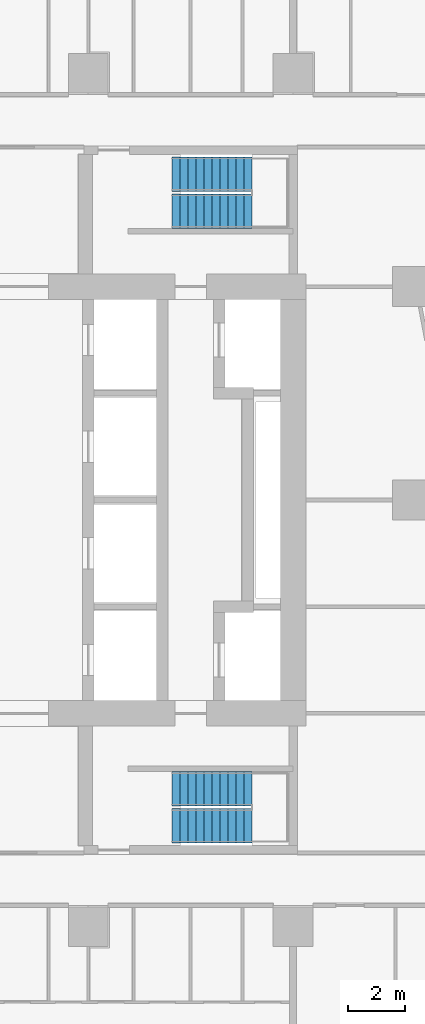
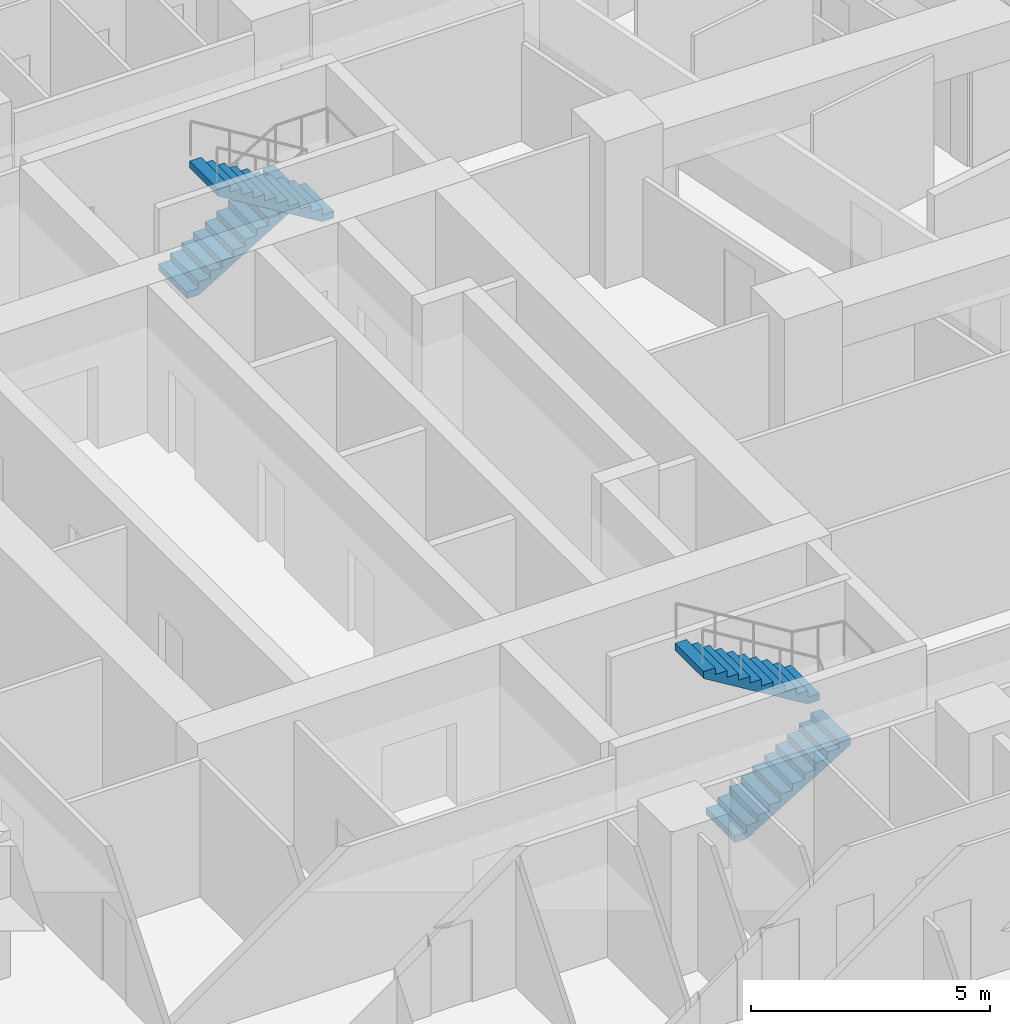
# One storey, part 18 of 19: 4 stair flights, 2 elements without a shape of their own.
"""IFC4 building model written with IfcOpenShell, lengths in metres."""

from ifc_helpers import new_model, si_unit, direction, frame, origin, place, context, subcontext, project, spatial, triangles, material, type_object, element, aggregate, save


model = new_model("IFC4")

# Units and contexts
model_context = context("Model", 3, precision=1e-05, world=origin(), true_north=direction((0.0, 1.0)))
body_context = subcontext(model_context, "Body", "Model", "MODEL_VIEW")
ifc_project = project(units=[si_unit("LENGTHUNIT", "METRE"), si_unit("AREAUNIT", "SQUARE_METRE"), si_unit("VOLUMEUNIT", "CUBIC_METRE"), si_unit("PLANEANGLEUNIT", "RADIAN"), si_unit("MASSUNIT", "GRAM", prefix="KILO")], contexts=[model_context])

# Site, building, storey
site_placement = place(None, origin())
site = spatial("IfcSite", under=ifc_project, at=site_placement, CompositionType="ELEMENT")
building_placement = place(site_placement, origin())
building = spatial("IfcBuilding", under=site, at=building_placement, Name="Sheger Commons Tower", CompositionType="ELEMENT")
storey_placement = place(building_placement, frame((0.0, 0.0, 197.449951171875)))
storey = spatial("IfcBuildingStorey", under=building, at=storey_placement, Name="L50", CompositionType="ELEMENT", Elevation=197.449951171875)

# Stair, stair flights
ifc_material_1 = material(Name="Concrete C35/45", Category="concrete")
stair_type = type_object("IfcStairType", Name="HALF-TURN STAIR 1200 RISE 3750", PredefinedType="HALF_TURN_STAIR", material=ifc_material_1)
stair_1_placement = place(storey_placement, origin())
stair_1 = element("IfcStair", 1, at=stair_1_placement, inside=storey, type_object=stair_type, Name="Stair S1 L50", PredefinedType="HALF_TURN_STAIR")
ifc_material_2 = material(Name="Concrete C35/45", Category="concrete")
stair_flight_type = type_object("IfcStairFlightType", Name="STAIR FLIGHT 1200 11 RISERS OF 170", PredefinedType="STRAIGHT", material=ifc_material_2)
stair_flight_1_placement = place(storey_placement, frame((24.550048828125, 11.050048828125, 0.0), z_axis=(0.0, 0.0, 1.0), x_axis=(1.0, 0.0, 0.0)))
stair_flight_1 = element("IfcStairFlight", 2, at=stair_flight_1_placement, type_object=stair_flight_type, Name="S1 flight 1", NumberOfRisers=11, NumberOfTreads=10, PredefinedType="STRAIGHT", RiserHeight=0.170454545, TreadLength=0.28, context=body_context, shape_type="Tessellation", body=[
    triangles([(0.0, 0.5999755859375, 0.0), (0.0, 0.5999755859375, 0.17041015625), (0.280029296875, 0.5999755859375, 0.17041015625), (0.280029296875, 0.5999755859375, 0.3408203125), (0.56005859375, 0.5999755859375, 0.3408203125), (0.56005859375, 0.5999755859375, 0.511474609375), (0.840087890625, 0.5999755859375, 0.511474609375), (0.840087890625, 0.5999755859375, 0.681884765625), (1.1201171875, 0.5999755859375, 0.681884765625), (1.1201171875, 0.5999755859375, 0.852294921875), (1.39990234375, 0.5999755859375, 0.852294921875), (1.39990234375, 0.5999755859375, 1.022705078125), (1.679931640625, 0.5999755859375, 1.022705078125), (1.679931640625, 0.5999755859375, 1.193115234375), (1.9599609375, 0.5999755859375, 1.193115234375), (1.9599609375, 0.5999755859375, 1.363525390625), (2.239990234375, 0.5999755859375, 1.363525390625), (2.239990234375, 0.5999755859375, 1.5341796875), (2.52001953125, 0.5999755859375, 1.5341796875), (2.52001953125, 0.5999755859375, 1.70458984375), (2.800048828125, 0.5999755859375, 1.70458984375), (2.800048828125, 0.5999755859375, 1.529052734375), (0.288330078125, 0.5999755859375, 0.0), (0.0, -0.5999755859375, 0.0), (0.0, -0.5999755859375, 0.17041015625), (0.280029296875, -0.5999755859375, 0.17041015625), (0.280029296875, -0.5999755859375, 0.3408203125), (0.56005859375, -0.5999755859375, 0.3408203125), (0.56005859375, -0.5999755859375, 0.511474609375), (0.840087890625, -0.5999755859375, 0.511474609375), (0.840087890625, -0.5999755859375, 0.681884765625), (1.1201171875, -0.5999755859375, 0.681884765625), (1.1201171875, -0.5999755859375, 0.852294921875), (1.39990234375, -0.5999755859375, 0.852294921875), (1.39990234375, -0.5999755859375, 1.022705078125), (1.679931640625, -0.5999755859375, 1.022705078125), (1.679931640625, -0.5999755859375, 1.193115234375), (1.9599609375, -0.5999755859375, 1.193115234375), (1.9599609375, -0.5999755859375, 1.363525390625), (2.239990234375, -0.5999755859375, 1.363525390625), (2.239990234375, -0.5999755859375, 1.5341796875), (2.52001953125, -0.5999755859375, 1.5341796875), (2.52001953125, -0.5999755859375, 1.70458984375), (2.800048828125, -0.5999755859375, 1.70458984375), (2.800048828125, -0.5999755859375, 1.529052734375), (0.288330078125, -0.5999755859375, 0.0), (0.0, 0.0, 0.085205078125), (0.1400146484375, 0.0, 0.17041015625), (0.280029296875, 0.0, 0.255615234375), (0.4200439453125, 0.0, 0.3408203125), (0.56005859375, 0.0, 0.4261474609375), (0.7000732421875, 0.0, 0.511474609375), (0.840087890625, 0.0, 0.5966796875), (0.9801025390625, 0.0, 0.681884765625), (1.1201171875, 0.0, 0.76708984375), (1.260009765625, 0.0, 0.852294921875), (1.39990234375, 0.0, 0.9375), (1.5399169921875, 0.0, 1.022705078125), (1.679931640625, 0.0, 1.10791015625), (1.8199462890625, 0.0, 1.193115234375), (1.9599609375, 0.0, 1.2783203125), (2.0999755859375, 0.0, 1.363525390625), (2.239990234375, 0.0, 1.4488525390625), (2.3800048828125, 0.0, 1.5341796875), (2.52001953125, 0.0, 1.619384765625), (2.6600341796875, 0.0, 1.70458984375), (2.800048828125, 0.0, 1.6168212890625), (1.544189453125, 0.0, 0.7645263671875), (0.1441650390625, 0.0, 0.0)], [[1, 22, 23], [24, 46, 45], [22, 20, 21], [45, 44, 43], [22, 19, 20], [45, 43, 42], [22, 18, 19], [45, 42, 41], [22, 17, 18], [45, 41, 40], [17, 15, 16], [40, 39, 38], [22, 15, 17], [45, 40, 38], [15, 13, 14], [38, 37, 36], [22, 13, 15], [45, 38, 36], [13, 11, 12], [36, 35, 34], [22, 11, 13], [45, 36, 34], [11, 9, 10], [34, 33, 32], [22, 9, 11], [45, 34, 32], [9, 7, 8], [32, 31, 30], [22, 7, 9], [45, 32, 30], [7, 5, 6], [30, 29, 28], [22, 5, 7], [45, 30, 28], [5, 3, 4], [28, 27, 26], [22, 3, 5], [45, 28, 26], [1, 3, 22], [24, 45, 26], [3, 1, 2], [26, 25, 24], [1, 47, 2], [2, 47, 25], [25, 47, 24], [24, 47, 1], [2, 48, 3], [3, 48, 26], [26, 48, 25], [25, 48, 2], [3, 49, 4], [4, 49, 27], [27, 49, 26], [26, 49, 3], [4, 50, 5], [5, 50, 28], [28, 50, 27], [27, 50, 4], [5, 51, 6], [6, 51, 29], [29, 51, 28], [28, 51, 5], [6, 52, 7], [7, 52, 30], [30, 52, 29], [29, 52, 6], [7, 53, 8], [8, 53, 31], [31, 53, 30], [30, 53, 7], [8, 54, 9], [9, 54, 32], [32, 54, 31], [31, 54, 8], [9, 55, 10], [10, 55, 33], [33, 55, 32], [32, 55, 9], [10, 56, 11], [11, 56, 34], [34, 56, 33], [33, 56, 10], [11, 57, 12], [12, 57, 35], [35, 57, 34], [34, 57, 11], [12, 58, 13], [13, 58, 36], [36, 58, 35], [35, 58, 12], [13, 59, 14], [14, 59, 37], [37, 59, 36], [36, 59, 13], [14, 60, 15], [15, 60, 38], [38, 60, 37], [37, 60, 14], [15, 61, 16], [16, 61, 39], [39, 61, 38], [38, 61, 15], [16, 62, 17], [17, 62, 40], [40, 62, 39], [39, 62, 16], [17, 63, 18], [18, 63, 41], [41, 63, 40], [40, 63, 17], [18, 64, 19], [19, 64, 42], [42, 64, 41], [41, 64, 18], [19, 65, 20], [20, 65, 43], [43, 65, 42], [42, 65, 19], [20, 66, 21], [21, 66, 44], [44, 66, 43], [43, 66, 20], [21, 67, 22], [22, 67, 45], [45, 67, 44], [44, 67, 21], [22, 68, 23], [23, 68, 46], [46, 68, 45], [45, 68, 22], [23, 69, 1], [1, 69, 24], [24, 69, 46], [46, 69, 23]], closed=True),
])
stair_flight_2_placement = place(storey_placement, frame((27.35009765625, 12.35009765625, 1.875), z_axis=(0.0, 0.0, 1.0), x_axis=(-1.0, 0.0, 0.0)))
stair_flight_2 = element("IfcStairFlight", 3, at=stair_flight_2_placement, type_object=stair_flight_type, Name="S1 flight 2", NumberOfRisers=11, NumberOfTreads=10, PredefinedType="STRAIGHT", RiserHeight=0.170454545, TreadLength=0.28, context=body_context, shape_type="Tessellation", body=[
    triangles([(0.0, 0.5999755859375, 0.0), (0.0, 0.5999755859375, 0.17041015625), (0.280029296875, 0.5999755859375, 0.17041015625), (0.280029296875, 0.5999755859375, 0.3408203125), (0.56005859375, 0.5999755859375, 0.3408203125), (0.56005859375, 0.5999755859375, 0.511474609375), (0.840087890625, 0.5999755859375, 0.511474609375), (0.840087890625, 0.5999755859375, 0.681884765625), (1.1201171875, 0.5999755859375, 0.681884765625), (1.1201171875, 0.5999755859375, 0.852294921875), (1.39990234375, 0.5999755859375, 0.852294921875), (1.39990234375, 0.5999755859375, 1.022705078125), (1.679931640625, 0.5999755859375, 1.022705078125), (1.679931640625, 0.5999755859375, 1.193115234375), (1.9599609375, 0.5999755859375, 1.193115234375), (1.9599609375, 0.5999755859375, 1.363525390625), (2.239990234375, 0.5999755859375, 1.363525390625), (2.239990234375, 0.5999755859375, 1.5341796875), (2.52001953125, 0.5999755859375, 1.5341796875), (2.52001953125, 0.5999755859375, 1.70458984375), (2.800048828125, 0.5999755859375, 1.70458984375), (2.800048828125, 0.5999755859375, 1.529052734375), (0.288330078125, 0.5999755859375, 0.0), (0.0, -0.5999755859375, 0.0), (0.0, -0.5999755859375, 0.17041015625), (0.280029296875, -0.5999755859375, 0.17041015625), (0.280029296875, -0.5999755859375, 0.3408203125), (0.56005859375, -0.5999755859375, 0.3408203125), (0.56005859375, -0.5999755859375, 0.511474609375), (0.840087890625, -0.5999755859375, 0.511474609375), (0.840087890625, -0.5999755859375, 0.681884765625), (1.1201171875, -0.5999755859375, 0.681884765625), (1.1201171875, -0.5999755859375, 0.852294921875), (1.39990234375, -0.5999755859375, 0.852294921875), (1.39990234375, -0.5999755859375, 1.022705078125), (1.679931640625, -0.5999755859375, 1.022705078125), (1.679931640625, -0.5999755859375, 1.193115234375), (1.9599609375, -0.5999755859375, 1.193115234375), (1.9599609375, -0.5999755859375, 1.363525390625), (2.239990234375, -0.5999755859375, 1.363525390625), (2.239990234375, -0.5999755859375, 1.5341796875), (2.52001953125, -0.5999755859375, 1.5341796875), (2.52001953125, -0.5999755859375, 1.70458984375), (2.800048828125, -0.5999755859375, 1.70458984375), (2.800048828125, -0.5999755859375, 1.529052734375), (0.288330078125, -0.5999755859375, 0.0), (0.0, 0.0, 0.085205078125), (0.1400146484375, 0.0, 0.17041015625), (0.280029296875, 0.0, 0.255615234375), (0.4200439453125, 0.0, 0.3408203125), (0.56005859375, 0.0, 0.4261474609375), (0.7000732421875, 0.0, 0.511474609375), (0.840087890625, 0.0, 0.5966796875), (0.9801025390625, 0.0, 0.681884765625), (1.1201171875, 0.0, 0.76708984375), (1.260009765625, 0.0, 0.852294921875), (1.39990234375, 0.0, 0.9375), (1.5399169921875, 0.0, 1.022705078125), (1.679931640625, 0.0, 1.10791015625), (1.8199462890625, 0.0, 1.193115234375), (1.9599609375, 0.0, 1.2783203125), (2.0999755859375, 0.0, 1.363525390625), (2.239990234375, 0.0, 1.4488525390625), (2.3800048828125, 0.0, 1.5341796875), (2.52001953125, 0.0, 1.619384765625), (2.6600341796875, 0.0, 1.70458984375), (2.800048828125, 0.0, 1.6168212890625), (1.544189453125, 0.0, 0.7645263671875), (0.1441650390625, 0.0, 0.0)], [[1, 22, 23], [24, 46, 45], [22, 20, 21], [45, 44, 43], [22, 19, 20], [45, 43, 42], [22, 18, 19], [45, 42, 41], [22, 17, 18], [45, 41, 40], [17, 15, 16], [40, 39, 38], [22, 15, 17], [45, 40, 38], [15, 13, 14], [38, 37, 36], [22, 13, 15], [45, 38, 36], [13, 11, 12], [36, 35, 34], [22, 11, 13], [45, 36, 34], [11, 9, 10], [34, 33, 32], [22, 9, 11], [45, 34, 32], [9, 7, 8], [32, 31, 30], [22, 7, 9], [45, 32, 30], [7, 5, 6], [30, 29, 28], [22, 5, 7], [45, 30, 28], [5, 3, 4], [28, 27, 26], [22, 3, 5], [45, 28, 26], [1, 3, 22], [24, 45, 26], [3, 1, 2], [26, 25, 24], [1, 47, 2], [2, 47, 25], [25, 47, 24], [24, 47, 1], [2, 48, 3], [3, 48, 26], [26, 48, 25], [25, 48, 2], [3, 49, 4], [4, 49, 27], [27, 49, 26], [26, 49, 3], [4, 50, 5], [5, 50, 28], [28, 50, 27], [27, 50, 4], [5, 51, 6], [6, 51, 29], [29, 51, 28], [28, 51, 5], [6, 52, 7], [7, 52, 30], [30, 52, 29], [29, 52, 6], [7, 53, 8], [8, 53, 31], [31, 53, 30], [30, 53, 7], [8, 54, 9], [9, 54, 32], [32, 54, 31], [31, 54, 8], [9, 55, 10], [10, 55, 33], [33, 55, 32], [32, 55, 9], [10, 56, 11], [11, 56, 34], [34, 56, 33], [33, 56, 10], [11, 57, 12], [12, 57, 35], [35, 57, 34], [34, 57, 11], [12, 58, 13], [13, 58, 36], [36, 58, 35], [35, 58, 12], [13, 59, 14], [14, 59, 37], [37, 59, 36], [36, 59, 13], [14, 60, 15], [15, 60, 38], [38, 60, 37], [37, 60, 14], [15, 61, 16], [16, 61, 39], [39, 61, 38], [38, 61, 15], [16, 62, 17], [17, 62, 40], [40, 62, 39], [39, 62, 16], [17, 63, 18], [18, 63, 41], [41, 63, 40], [40, 63, 17], [18, 64, 19], [19, 64, 42], [42, 64, 41], [41, 64, 18], [19, 65, 20], [20, 65, 43], [43, 65, 42], [42, 65, 19], [20, 66, 21], [21, 66, 44], [44, 66, 43], [43, 66, 20], [21, 67, 22], [22, 67, 45], [45, 67, 44], [44, 67, 21], [22, 68, 23], [23, 68, 46], [46, 68, 45], [45, 68, 22], [23, 69, 1], [1, 69, 24], [24, 69, 46], [46, 69, 23]], closed=True),
])
aggregate(stair_1, [stair_flight_1, stair_flight_2])

stair_2_placement = place(storey_placement, origin())
stair_2 = element("IfcStair", 4, at=stair_2_placement, inside=storey, type_object=stair_type, Name="Stair S2 L50", PredefinedType="HALF_TURN_STAIR")
stair_flight_3_placement = place(storey_placement, frame((24.550048828125, 33.949951171875, 0.0), z_axis=(0.0, 0.0, 1.0), x_axis=(1.0, 0.0, 0.0)))
stair_flight_3 = element("IfcStairFlight", 5, at=stair_flight_3_placement, type_object=stair_flight_type, Name="S2 flight 1", NumberOfRisers=11, NumberOfTreads=10, PredefinedType="STRAIGHT", RiserHeight=0.170454545, TreadLength=0.28, context=body_context, shape_type="Tessellation", body=[
    triangles([(0.0, 0.5999755859375, 0.0), (0.0, 0.5999755859375, 0.17041015625), (0.280029296875, 0.5999755859375, 0.17041015625), (0.280029296875, 0.5999755859375, 0.3408203125), (0.56005859375, 0.5999755859375, 0.3408203125), (0.56005859375, 0.5999755859375, 0.511474609375), (0.840087890625, 0.5999755859375, 0.511474609375), (0.840087890625, 0.5999755859375, 0.681884765625), (1.1201171875, 0.5999755859375, 0.681884765625), (1.1201171875, 0.5999755859375, 0.852294921875), (1.39990234375, 0.5999755859375, 0.852294921875), (1.39990234375, 0.5999755859375, 1.022705078125), (1.679931640625, 0.5999755859375, 1.022705078125), (1.679931640625, 0.5999755859375, 1.193115234375), (1.9599609375, 0.5999755859375, 1.193115234375), (1.9599609375, 0.5999755859375, 1.363525390625), (2.239990234375, 0.5999755859375, 1.363525390625), (2.239990234375, 0.5999755859375, 1.5341796875), (2.52001953125, 0.5999755859375, 1.5341796875), (2.52001953125, 0.5999755859375, 1.70458984375), (2.800048828125, 0.5999755859375, 1.70458984375), (2.800048828125, 0.5999755859375, 1.529052734375), (0.288330078125, 0.5999755859375, 0.0), (0.0, -0.5999755859375, 0.0), (0.0, -0.5999755859375, 0.17041015625), (0.280029296875, -0.5999755859375, 0.17041015625), (0.280029296875, -0.5999755859375, 0.3408203125), (0.56005859375, -0.5999755859375, 0.3408203125), (0.56005859375, -0.5999755859375, 0.511474609375), (0.840087890625, -0.5999755859375, 0.511474609375), (0.840087890625, -0.5999755859375, 0.681884765625), (1.1201171875, -0.5999755859375, 0.681884765625), (1.1201171875, -0.5999755859375, 0.852294921875), (1.39990234375, -0.5999755859375, 0.852294921875), (1.39990234375, -0.5999755859375, 1.022705078125), (1.679931640625, -0.5999755859375, 1.022705078125), (1.679931640625, -0.5999755859375, 1.193115234375), (1.9599609375, -0.5999755859375, 1.193115234375), (1.9599609375, -0.5999755859375, 1.363525390625), (2.239990234375, -0.5999755859375, 1.363525390625), (2.239990234375, -0.5999755859375, 1.5341796875), (2.52001953125, -0.5999755859375, 1.5341796875), (2.52001953125, -0.5999755859375, 1.70458984375), (2.800048828125, -0.5999755859375, 1.70458984375), (2.800048828125, -0.5999755859375, 1.529052734375), (0.288330078125, -0.5999755859375, 0.0), (0.0, 0.0, 0.085205078125), (0.1400146484375, 0.0, 0.17041015625), (0.280029296875, 0.0, 0.255615234375), (0.4200439453125, 0.0, 0.3408203125), (0.56005859375, 0.0, 0.4261474609375), (0.7000732421875, 0.0, 0.511474609375), (0.840087890625, 0.0, 0.5966796875), (0.9801025390625, 0.0, 0.681884765625), (1.1201171875, 0.0, 0.76708984375), (1.260009765625, 0.0, 0.852294921875), (1.39990234375, 0.0, 0.9375), (1.5399169921875, 0.0, 1.022705078125), (1.679931640625, 0.0, 1.10791015625), (1.8199462890625, 0.0, 1.193115234375), (1.9599609375, 0.0, 1.2783203125), (2.0999755859375, 0.0, 1.363525390625), (2.239990234375, 0.0, 1.4488525390625), (2.3800048828125, 0.0, 1.5341796875), (2.52001953125, 0.0, 1.619384765625), (2.6600341796875, 0.0, 1.70458984375), (2.800048828125, 0.0, 1.6168212890625), (1.544189453125, 0.0, 0.7645263671875), (0.1441650390625, 0.0, 0.0)], [[1, 22, 23], [24, 46, 45], [22, 20, 21], [45, 44, 43], [22, 19, 20], [45, 43, 42], [22, 18, 19], [45, 42, 41], [22, 17, 18], [45, 41, 40], [17, 15, 16], [40, 39, 38], [22, 15, 17], [45, 40, 38], [15, 13, 14], [38, 37, 36], [22, 13, 15], [45, 38, 36], [13, 11, 12], [36, 35, 34], [22, 11, 13], [45, 36, 34], [11, 9, 10], [34, 33, 32], [22, 9, 11], [45, 34, 32], [9, 7, 8], [32, 31, 30], [22, 7, 9], [45, 32, 30], [7, 5, 6], [30, 29, 28], [22, 5, 7], [45, 30, 28], [5, 3, 4], [28, 27, 26], [22, 3, 5], [45, 28, 26], [1, 3, 22], [24, 45, 26], [3, 1, 2], [26, 25, 24], [1, 47, 2], [2, 47, 25], [25, 47, 24], [24, 47, 1], [2, 48, 3], [3, 48, 26], [26, 48, 25], [25, 48, 2], [3, 49, 4], [4, 49, 27], [27, 49, 26], [26, 49, 3], [4, 50, 5], [5, 50, 28], [28, 50, 27], [27, 50, 4], [5, 51, 6], [6, 51, 29], [29, 51, 28], [28, 51, 5], [6, 52, 7], [7, 52, 30], [30, 52, 29], [29, 52, 6], [7, 53, 8], [8, 53, 31], [31, 53, 30], [30, 53, 7], [8, 54, 9], [9, 54, 32], [32, 54, 31], [31, 54, 8], [9, 55, 10], [10, 55, 33], [33, 55, 32], [32, 55, 9], [10, 56, 11], [11, 56, 34], [34, 56, 33], [33, 56, 10], [11, 57, 12], [12, 57, 35], [35, 57, 34], [34, 57, 11], [12, 58, 13], [13, 58, 36], [36, 58, 35], [35, 58, 12], [13, 59, 14], [14, 59, 37], [37, 59, 36], [36, 59, 13], [14, 60, 15], [15, 60, 38], [38, 60, 37], [37, 60, 14], [15, 61, 16], [16, 61, 39], [39, 61, 38], [38, 61, 15], [16, 62, 17], [17, 62, 40], [40, 62, 39], [39, 62, 16], [17, 63, 18], [18, 63, 41], [41, 63, 40], [40, 63, 17], [18, 64, 19], [19, 64, 42], [42, 64, 41], [41, 64, 18], [19, 65, 20], [20, 65, 43], [43, 65, 42], [42, 65, 19], [20, 66, 21], [21, 66, 44], [44, 66, 43], [43, 66, 20], [21, 67, 22], [22, 67, 45], [45, 67, 44], [44, 67, 21], [22, 68, 23], [23, 68, 46], [46, 68, 45], [45, 68, 22], [23, 69, 1], [1, 69, 24], [24, 69, 46], [46, 69, 23]], closed=True),
])
stair_flight_4_placement = place(storey_placement, frame((27.35009765625, 32.64990234375, 1.875), z_axis=(0.0, 0.0, 1.0), x_axis=(-1.0, 0.0, 0.0)))
stair_flight_4 = element("IfcStairFlight", 6, at=stair_flight_4_placement, type_object=stair_flight_type, Name="S2 flight 2", NumberOfRisers=11, NumberOfTreads=10, PredefinedType="STRAIGHT", RiserHeight=0.170454545, TreadLength=0.28, context=body_context, shape_type="Tessellation", body=[
    triangles([(0.0, 0.5999755859375, 0.0), (0.0, 0.5999755859375, 0.17041015625), (0.280029296875, 0.5999755859375, 0.17041015625), (0.280029296875, 0.5999755859375, 0.3408203125), (0.56005859375, 0.5999755859375, 0.3408203125), (0.56005859375, 0.5999755859375, 0.511474609375), (0.840087890625, 0.5999755859375, 0.511474609375), (0.840087890625, 0.5999755859375, 0.681884765625), (1.1201171875, 0.5999755859375, 0.681884765625), (1.1201171875, 0.5999755859375, 0.852294921875), (1.39990234375, 0.5999755859375, 0.852294921875), (1.39990234375, 0.5999755859375, 1.022705078125), (1.679931640625, 0.5999755859375, 1.022705078125), (1.679931640625, 0.5999755859375, 1.193115234375), (1.9599609375, 0.5999755859375, 1.193115234375), (1.9599609375, 0.5999755859375, 1.363525390625), (2.239990234375, 0.5999755859375, 1.363525390625), (2.239990234375, 0.5999755859375, 1.5341796875), (2.52001953125, 0.5999755859375, 1.5341796875), (2.52001953125, 0.5999755859375, 1.70458984375), (2.800048828125, 0.5999755859375, 1.70458984375), (2.800048828125, 0.5999755859375, 1.529052734375), (0.288330078125, 0.5999755859375, 0.0), (0.0, -0.5999755859375, 0.0), (0.0, -0.5999755859375, 0.17041015625), (0.280029296875, -0.5999755859375, 0.17041015625), (0.280029296875, -0.5999755859375, 0.3408203125), (0.56005859375, -0.5999755859375, 0.3408203125), (0.56005859375, -0.5999755859375, 0.511474609375), (0.840087890625, -0.5999755859375, 0.511474609375), (0.840087890625, -0.5999755859375, 0.681884765625), (1.1201171875, -0.5999755859375, 0.681884765625), (1.1201171875, -0.5999755859375, 0.852294921875), (1.39990234375, -0.5999755859375, 0.852294921875), (1.39990234375, -0.5999755859375, 1.022705078125), (1.679931640625, -0.5999755859375, 1.022705078125), (1.679931640625, -0.5999755859375, 1.193115234375), (1.9599609375, -0.5999755859375, 1.193115234375), (1.9599609375, -0.5999755859375, 1.363525390625), (2.239990234375, -0.5999755859375, 1.363525390625), (2.239990234375, -0.5999755859375, 1.5341796875), (2.52001953125, -0.5999755859375, 1.5341796875), (2.52001953125, -0.5999755859375, 1.70458984375), (2.800048828125, -0.5999755859375, 1.70458984375), (2.800048828125, -0.5999755859375, 1.529052734375), (0.288330078125, -0.5999755859375, 0.0), (0.0, 0.0, 0.085205078125), (0.1400146484375, 0.0, 0.17041015625), (0.280029296875, 0.0, 0.255615234375), (0.4200439453125, 0.0, 0.3408203125), (0.56005859375, 0.0, 0.4261474609375), (0.7000732421875, 0.0, 0.511474609375), (0.840087890625, 0.0, 0.5966796875), (0.9801025390625, 0.0, 0.681884765625), (1.1201171875, 0.0, 0.76708984375), (1.260009765625, 0.0, 0.852294921875), (1.39990234375, 0.0, 0.9375), (1.5399169921875, 0.0, 1.022705078125), (1.679931640625, 0.0, 1.10791015625), (1.8199462890625, 0.0, 1.193115234375), (1.9599609375, 0.0, 1.2783203125), (2.0999755859375, 0.0, 1.363525390625), (2.239990234375, 0.0, 1.4488525390625), (2.3800048828125, 0.0, 1.5341796875), (2.52001953125, 0.0, 1.619384765625), (2.6600341796875, 0.0, 1.70458984375), (2.800048828125, 0.0, 1.6168212890625), (1.544189453125, 0.0, 0.7645263671875), (0.1441650390625, 0.0, 0.0)], [[1, 22, 23], [24, 46, 45], [22, 20, 21], [45, 44, 43], [22, 19, 20], [45, 43, 42], [22, 18, 19], [45, 42, 41], [22, 17, 18], [45, 41, 40], [17, 15, 16], [40, 39, 38], [22, 15, 17], [45, 40, 38], [15, 13, 14], [38, 37, 36], [22, 13, 15], [45, 38, 36], [13, 11, 12], [36, 35, 34], [22, 11, 13], [45, 36, 34], [11, 9, 10], [34, 33, 32], [22, 9, 11], [45, 34, 32], [9, 7, 8], [32, 31, 30], [22, 7, 9], [45, 32, 30], [7, 5, 6], [30, 29, 28], [22, 5, 7], [45, 30, 28], [5, 3, 4], [28, 27, 26], [22, 3, 5], [45, 28, 26], [1, 3, 22], [24, 45, 26], [3, 1, 2], [26, 25, 24], [1, 47, 2], [2, 47, 25], [25, 47, 24], [24, 47, 1], [2, 48, 3], [3, 48, 26], [26, 48, 25], [25, 48, 2], [3, 49, 4], [4, 49, 27], [27, 49, 26], [26, 49, 3], [4, 50, 5], [5, 50, 28], [28, 50, 27], [27, 50, 4], [5, 51, 6], [6, 51, 29], [29, 51, 28], [28, 51, 5], [6, 52, 7], [7, 52, 30], [30, 52, 29], [29, 52, 6], [7, 53, 8], [8, 53, 31], [31, 53, 30], [30, 53, 7], [8, 54, 9], [9, 54, 32], [32, 54, 31], [31, 54, 8], [9, 55, 10], [10, 55, 33], [33, 55, 32], [32, 55, 9], [10, 56, 11], [11, 56, 34], [34, 56, 33], [33, 56, 10], [11, 57, 12], [12, 57, 35], [35, 57, 34], [34, 57, 11], [12, 58, 13], [13, 58, 36], [36, 58, 35], [35, 58, 12], [13, 59, 14], [14, 59, 37], [37, 59, 36], [36, 59, 13], [14, 60, 15], [15, 60, 38], [38, 60, 37], [37, 60, 14], [15, 61, 16], [16, 61, 39], [39, 61, 38], [38, 61, 15], [16, 62, 17], [17, 62, 40], [40, 62, 39], [39, 62, 16], [17, 63, 18], [18, 63, 41], [41, 63, 40], [40, 63, 17], [18, 64, 19], [19, 64, 42], [42, 64, 41], [41, 64, 18], [19, 65, 20], [20, 65, 43], [43, 65, 42], [42, 65, 19], [20, 66, 21], [21, 66, 44], [44, 66, 43], [43, 66, 20], [21, 67, 22], [22, 67, 45], [45, 67, 44], [44, 67, 21], [22, 68, 23], [23, 68, 46], [46, 68, 45], [45, 68, 22], [23, 69, 1], [1, 69, 24], [24, 69, 46], [46, 69, 23]], closed=True),
])
aggregate(stair_2, [stair_flight_3, stair_flight_4])

save(model, "model.ifc")
